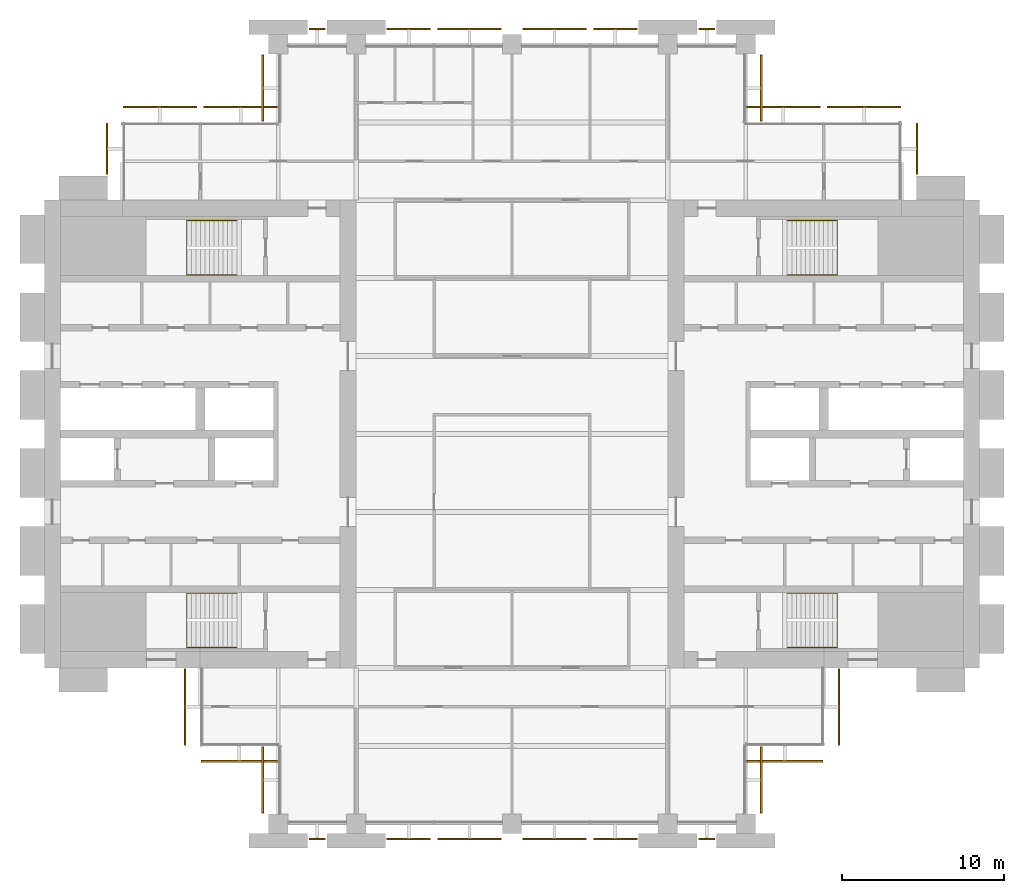
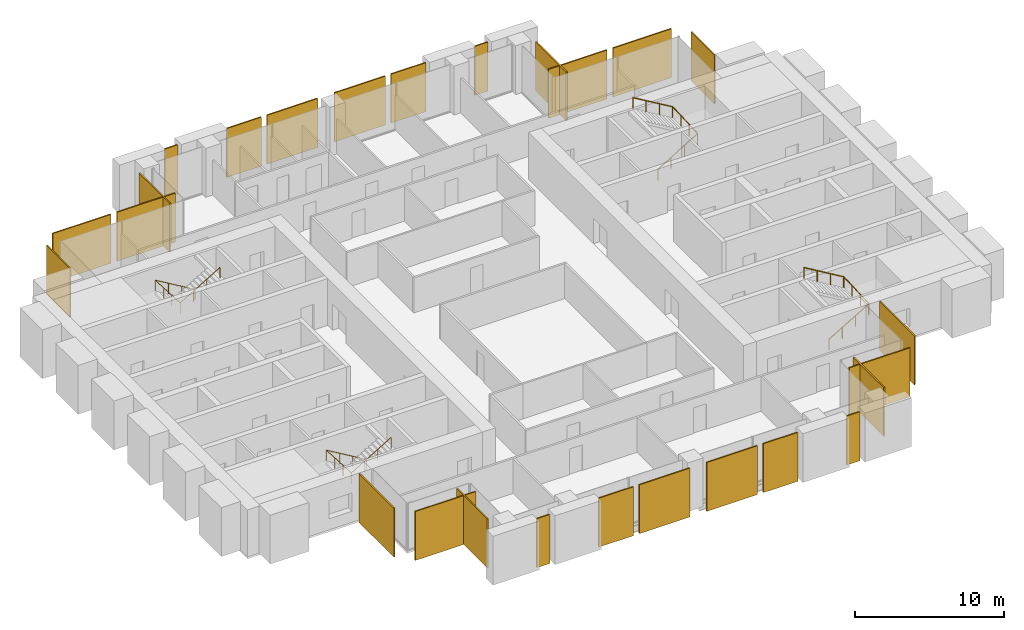
# One storey, part 14 of 14: 26 coverings, 4 railings.
"""IFC4 building model written with IfcOpenShell, lengths in metres."""

from ifc_helpers import new_model, si_unit, direction, frame, origin, origin_2d, place, context, subcontext, project, spatial, polyline, circle, outline, extrude, material, layer, layer_set, type_object, element, save


model = new_model("IFC4")

# Units and contexts
model_context = context("Model", 3, precision=1e-05, world=origin(), true_north=direction((0.0, 1.0)))
body_context = subcontext(model_context, "Body", "Model", "MODEL_VIEW")
ifc_project = project(units=[si_unit("LENGTHUNIT", "METRE"), si_unit("AREAUNIT", "SQUARE_METRE"), si_unit("VOLUMEUNIT", "CUBIC_METRE"), si_unit("PLANEANGLEUNIT", "RADIAN"), si_unit("MASSUNIT", "GRAM", prefix="KILO")], contexts=[model_context])

# Site, building, storey
site_placement = place(None, origin())
site = spatial("IfcSite", under=ifc_project, at=site_placement, CompositionType="ELEMENT")
building_placement = place(site_placement, origin())
building = spatial("IfcBuilding", under=site, at=building_placement, Name="Baori Bourse Tower", CompositionType="ELEMENT")
storey_placement = place(building_placement, frame((0.0, 0.0, 136.10009765625)))
storey = spatial("IfcBuildingStorey", under=building, at=storey_placement, Name="L29", CompositionType="ELEMENT", Elevation=136.10009765625)

# Railings
ifc_material_1 = material(Name="Powder-coated steel balustrade", Category="steel")
railing_type = type_object("IfcRailingType", Name="Core stair handrail", PredefinedType="HANDRAIL", material=ifc_material_1)
railing_1_placement = place(storey_placement, frame((11.85009765625, 14.199951171875, 0.16650390625)))
element("IfcRailing", 1, at=railing_1_placement, inside=storey, type_object=railing_type, Name="L29 ST1 stair handrail 1", PredefinedType="HANDRAIL", context=body_context, shape_type="SweptSolid", body=[
    extrude(circle(Radius=0.02392578125, at=origin_2d()), frame((0.0, 0.0, 0.8759765625), z_axis=(-0.85927862911, 0.0, 0.511507807912), x_axis=(0.0, -1.0, 0.0)), (0.0, 0.0, 1.0), 3.58447265625),
    extrude(circle(Radius=0.02392578125, at=origin_2d()), frame((-3.080078125, 0.0, 2.70947265625), z_axis=(0.0, -0.998766999029, 0.049643545903), x_axis=(1.0, 0.0, 0.0)), (0.0, 0.0, 1.0), 3.35400390625),
    extrude(circle(Radius=0.02392578125, at=origin_2d()), frame((-3.080078125, -3.349853515625, 2.8759765625), z_axis=(0.85927862911, 0.0, 0.511507807912), x_axis=(0.0, 1.0, 0.0)), (0.0, 0.0, 1.0), 3.58447265625),
    extrude(circle(Radius=0.02099609375, at=origin_2d()), origin(), (0.0, 0.0, 1.0), 0.851806640625),
    extrude(circle(Radius=0.02099609375, at=origin_2d()), frame((-1.026611328125, 0.0, 0.611083984375)), (0.0, 0.0, 1.0), 0.851806640625),
    extrude(circle(Radius=0.02099609375, at=origin_2d()), frame((-2.053466796875, 0.0, 1.222412109375)), (0.0, 0.0, 1.0), 0.851806640625),
    extrude(circle(Radius=0.02099609375, at=origin_2d()), frame((-3.080078125, 0.0, 1.83349609375)), (0.0, 0.0, 1.0), 0.851806640625),
    extrude(circle(Radius=0.02099609375, at=origin_2d()), frame((-3.080078125, -1.11669921875, 1.888916015625)), (0.0, 0.0, 1.0), 0.851806640625),
    extrude(circle(Radius=0.02099609375, at=origin_2d()), frame((-3.080078125, -2.233154296875, 1.944580078125)), (0.0, 0.0, 1.0), 0.851806640625),
    extrude(circle(Radius=0.02099609375, at=origin_2d()), frame((-3.080078125, -3.349853515625, 2.0)), (0.0, 0.0, 1.0), 0.851806640625),
    extrude(circle(Radius=0.02099609375, at=origin_2d()), frame((-2.053466796875, -3.349853515625, 2.611083984375)), (0.0, 0.0, 1.0), 0.851806640625),
    extrude(circle(Radius=0.02099609375, at=origin_2d()), frame((-1.026611328125, -3.349853515625, 3.222412109375)), (0.0, 0.0, 1.0), 0.851806640625),
    extrude(circle(Radius=0.02099609375, at=origin_2d()), frame((0.0, -3.349853515625, 3.83349609375)), (0.0, 0.0, 1.0), 0.851806640625),
])
railing_2_placement = place(storey_placement, frame((11.85009765625, 37.14990234375, 0.16650390625)))
element("IfcRailing", 2, at=railing_2_placement, inside=storey, type_object=railing_type, Name="L29 ST2 stair handrail 1", PredefinedType="HANDRAIL", context=body_context, shape_type="SweptSolid", body=[
    extrude(circle(Radius=0.02392578125, at=origin_2d()), frame((0.0, 0.0, 0.8759765625), z_axis=(-0.85927862911, 0.0, 0.511507807912), x_axis=(0.0, -1.0, 0.0)), (0.0, 0.0, 1.0), 3.58447265625),
    extrude(circle(Radius=0.02392578125, at=origin_2d()), frame((-3.080078125, 0.0, 2.70947265625), z_axis=(0.0, -0.998766999029, 0.049643545903), x_axis=(1.0, 0.0, 0.0)), (0.0, 0.0, 1.0), 3.35400390625),
    extrude(circle(Radius=0.02392578125, at=origin_2d()), frame((-3.080078125, -3.349853515625, 2.8759765625), z_axis=(0.85927862911, 0.0, 0.511507807912), x_axis=(0.0, 1.0, 0.0)), (0.0, 0.0, 1.0), 3.58447265625),
    extrude(circle(Radius=0.02099609375, at=origin_2d()), origin(), (0.0, 0.0, 1.0), 0.851806640625),
    extrude(circle(Radius=0.02099609375, at=origin_2d()), frame((-1.026611328125, 0.0, 0.611083984375)), (0.0, 0.0, 1.0), 0.851806640625),
    extrude(circle(Radius=0.02099609375, at=origin_2d()), frame((-2.053466796875, 0.0, 1.222412109375)), (0.0, 0.0, 1.0), 0.851806640625),
    extrude(circle(Radius=0.02099609375, at=origin_2d()), frame((-3.080078125, 0.0, 1.83349609375)), (0.0, 0.0, 1.0), 0.851806640625),
    extrude(circle(Radius=0.02099609375, at=origin_2d()), frame((-3.080078125, -1.11669921875, 1.888916015625)), (0.0, 0.0, 1.0), 0.851806640625),
    extrude(circle(Radius=0.02099609375, at=origin_2d()), frame((-3.080078125, -2.233154296875, 1.944580078125)), (0.0, 0.0, 1.0), 0.851806640625),
    extrude(circle(Radius=0.02099609375, at=origin_2d()), frame((-3.080078125, -3.349853515625, 2.0)), (0.0, 0.0, 1.0), 0.851806640625),
    extrude(circle(Radius=0.02099609375, at=origin_2d()), frame((-2.053466796875, -3.349853515625, 2.611083984375)), (0.0, 0.0, 1.0), 0.851806640625),
    extrude(circle(Radius=0.02099609375, at=origin_2d()), frame((-1.026611328125, -3.349853515625, 3.222412109375)), (0.0, 0.0, 1.0), 0.851806640625),
    extrude(circle(Radius=0.02099609375, at=origin_2d()), frame((0.0, -3.349853515625, 3.83349609375)), (0.0, 0.0, 1.0), 0.851806640625),
])
railing_3_placement = place(storey_placement, frame((45.75, 10.85009765625, 0.16650390625)))
element("IfcRailing", 3, at=railing_3_placement, inside=storey, type_object=railing_type, Name="L29 ST3 stair handrail 1", PredefinedType="HANDRAIL", context=body_context, shape_type="SweptSolid", body=[
    extrude(circle(Radius=0.02392578125, at=origin_2d()), frame((0.0, 0.0, 0.8759765625), z_axis=(0.85927862911, 0.0, 0.511507807912), x_axis=(0.0, 1.0, 0.0)), (0.0, 0.0, 1.0), 3.58447265625),
    extrude(circle(Radius=0.02392578125, at=origin_2d()), frame((3.080078125, 0.0, 2.70947265625), z_axis=(0.0, 0.998766999029, 0.049643545903), x_axis=(-1.0, 0.0, 0.0)), (0.0, 0.0, 1.0), 3.35400390625),
    extrude(circle(Radius=0.02392578125, at=origin_2d()), frame((3.080078125, 3.349853515625, 2.8759765625), z_axis=(-0.85927862911, 0.0, 0.511507807912), x_axis=(0.0, -1.0, 0.0)), (0.0, 0.0, 1.0), 3.58447265625),
    extrude(circle(Radius=0.02099609375, at=origin_2d()), origin(), (0.0, 0.0, 1.0), 0.851806640625),
    extrude(circle(Radius=0.02099609375, at=origin_2d()), frame((1.026611328125, 0.0, 0.611083984375)), (0.0, 0.0, 1.0), 0.851806640625),
    extrude(circle(Radius=0.02099609375, at=origin_2d()), frame((2.053466796875, 0.0, 1.222412109375)), (0.0, 0.0, 1.0), 0.851806640625),
    extrude(circle(Radius=0.02099609375, at=origin_2d()), frame((3.080078125, 0.0, 1.83349609375)), (0.0, 0.0, 1.0), 0.851806640625),
    extrude(circle(Radius=0.02099609375, at=origin_2d()), frame((3.080078125, 1.11669921875, 1.888916015625)), (0.0, 0.0, 1.0), 0.851806640625),
    extrude(circle(Radius=0.02099609375, at=origin_2d()), frame((3.080078125, 2.233154296875, 1.944580078125)), (0.0, 0.0, 1.0), 0.851806640625),
    extrude(circle(Radius=0.02099609375, at=origin_2d()), frame((3.080078125, 3.349853515625, 2.0)), (0.0, 0.0, 1.0), 0.851806640625),
    extrude(circle(Radius=0.02099609375, at=origin_2d()), frame((2.053466796875, 3.349853515625, 2.611083984375)), (0.0, 0.0, 1.0), 0.851806640625),
    extrude(circle(Radius=0.02099609375, at=origin_2d()), frame((1.026611328125, 3.349853515625, 3.222412109375)), (0.0, 0.0, 1.0), 0.851806640625),
    extrude(circle(Radius=0.02099609375, at=origin_2d()), frame((0.0, 3.349853515625, 3.83349609375)), (0.0, 0.0, 1.0), 0.851806640625),
])
railing_4_placement = place(storey_placement, frame((45.75, 33.800048828125, 0.16650390625)))
element("IfcRailing", 4, at=railing_4_placement, inside=storey, type_object=railing_type, Name="L29 ST4 stair handrail 1", PredefinedType="HANDRAIL", context=body_context, shape_type="SweptSolid", body=[
    extrude(circle(Radius=0.02392578125, at=origin_2d()), frame((0.0, 0.0, 0.8759765625), z_axis=(0.85927862911, 0.0, 0.511507807912), x_axis=(0.0, 1.0, 0.0)), (0.0, 0.0, 1.0), 3.58447265625),
    extrude(circle(Radius=0.02392578125, at=origin_2d()), frame((3.080078125, 0.0, 2.70947265625), z_axis=(0.0, 0.998766999029, 0.049643545903), x_axis=(-1.0, 0.0, 0.0)), (0.0, 0.0, 1.0), 3.35400390625),
    extrude(circle(Radius=0.02392578125, at=origin_2d()), frame((3.080078125, 3.349853515625, 2.8759765625), z_axis=(-0.85927862911, 0.0, 0.511507807912), x_axis=(0.0, -1.0, 0.0)), (0.0, 0.0, 1.0), 3.58447265625),
    extrude(circle(Radius=0.02099609375, at=origin_2d()), origin(), (0.0, 0.0, 1.0), 0.851806640625),
    extrude(circle(Radius=0.02099609375, at=origin_2d()), frame((1.026611328125, 0.0, 0.611083984375)), (0.0, 0.0, 1.0), 0.851806640625),
    extrude(circle(Radius=0.02099609375, at=origin_2d()), frame((2.053466796875, 0.0, 1.222412109375)), (0.0, 0.0, 1.0), 0.851806640625),
    extrude(circle(Radius=0.02099609375, at=origin_2d()), frame((3.080078125, 0.0, 1.83349609375)), (0.0, 0.0, 1.0), 0.851806640625),
    extrude(circle(Radius=0.02099609375, at=origin_2d()), frame((3.080078125, 1.11669921875, 1.888916015625)), (0.0, 0.0, 1.0), 0.851806640625),
    extrude(circle(Radius=0.02099609375, at=origin_2d()), frame((3.080078125, 2.233154296875, 1.944580078125)), (0.0, 0.0, 1.0), 0.851806640625),
    extrude(circle(Radius=0.02099609375, at=origin_2d()), frame((3.080078125, 3.349853515625, 2.0)), (0.0, 0.0, 1.0), 0.851806640625),
    extrude(circle(Radius=0.02099609375, at=origin_2d()), frame((2.053466796875, 3.349853515625, 2.611083984375)), (0.0, 0.0, 1.0), 0.851806640625),
    extrude(circle(Radius=0.02099609375, at=origin_2d()), frame((1.026611328125, 3.349853515625, 3.222412109375)), (0.0, 0.0, 1.0), 0.851806640625),
    extrude(circle(Radius=0.02099609375, at=origin_2d()), frame((0.0, 3.349853515625, 3.83349609375)), (0.0, 0.0, 1.0), 0.851806640625),
])

# Coverings
ifc_material_2 = material(Name="Pale anodised aluminium", Category="aluminium")
ifc_layer = layer(ifc_material_2, 0.10009765625)
ifc_layer_set = layer_set([ifc_layer], Name="OS3 Outer skin screen panel")
covering_type = type_object("IfcCoveringType", Name="OS3 Outer skin screen panel", PredefinedType="CLADDING", material=ifc_layer_set)
covering_1_placement = place(storey_placement, frame((0.0, 0.0, -0.16015625)))
element("IfcCovering", 5, at=covering_1_placement, inside=storey, type_object=covering_type, Name="Outer skin screen L29 1", PredefinedType="CLADDING", context=body_context, shape_type="SweptSolid", body=[
    extrude(outline(polyline([(53.699951171875, 43.14990234375), (53.699951171875, 40.0), (53.800048828125, 40.0), (53.800048828125, 43.14990234375), (53.699951171875, 43.14990234375)])), origin(), (0.0, 0.0, 1.0), 4.0),
])
covering_2_placement = place(storey_placement, frame((0.0, 0.0, -0.16015625)))
element("IfcCovering", 6, at=covering_2_placement, inside=storey, type_object=covering_type, Name="Outer skin screen L29 2", PredefinedType="CLADDING", context=body_context, shape_type="SweptSolid", body=[
    extrude(outline(polyline([(48.22509765625, 44.10009765625), (52.75, 44.10009765625), (52.75, 44.199951171875), (48.22509765625, 44.199951171875), (48.22509765625, 44.10009765625)])), origin(), (0.0, 0.0, 1.0), 4.0),
])
covering_3_placement = place(storey_placement, frame((0.0, 0.0, -0.16015625)))
element("IfcCovering", 7, at=covering_3_placement, inside=storey, type_object=covering_type, Name="Outer skin screen L29 3", PredefinedType="CLADDING", context=body_context, shape_type="SweptSolid", body=[
    extrude(outline(polyline([(43.25, 44.10009765625), (47.77490234375, 44.10009765625), (47.77490234375, 44.199951171875), (43.25, 44.199951171875), (43.25, 44.10009765625)])), origin(), (0.0, 0.0, 1.0), 4.0),
])
covering_4_placement = place(storey_placement, frame((0.0, 0.0, -0.16015625)))
element("IfcCovering", 8, at=covering_4_placement, inside=storey, type_object=covering_type, Name="Outer skin screen L29 4", PredefinedType="CLADDING", context=body_context, shape_type="SweptSolid", body=[
    extrude(outline(polyline([(44.10009765625, 47.35009765625), (44.10009765625, 43.25), (44.199951171875, 43.25), (44.199951171875, 47.35009765625), (44.10009765625, 47.35009765625)])), origin(), (0.0, 0.0, 1.0), 4.0),
])
covering_5_placement = place(storey_placement, frame((0.0, 0.0, -0.16015625)))
element("IfcCovering", 9, at=covering_5_placement, inside=storey, type_object=covering_type, Name="Outer skin screen L29 5", PredefinedType="CLADDING", context=body_context, shape_type="SweptSolid", body=[
    extrude(outline(polyline([(40.300048828125, 48.89990234375), (41.300048828125, 48.89990234375), (41.300048828125, 49.0), (40.300048828125, 49.0), (40.300048828125, 48.89990234375)])), origin(), (0.0, 0.0, 1.0), 4.0),
])
covering_6_placement = place(storey_placement, frame((0.0, 0.0, -0.16015625)))
element("IfcCovering", 10, at=covering_6_placement, inside=storey, type_object=covering_type, Name="Outer skin screen L29 6", PredefinedType="CLADDING", context=body_context, shape_type="SweptSolid", body=[
    extrude(outline(polyline([(33.824951171875, 48.89990234375), (36.5, 48.89990234375), (36.5, 49.0), (33.824951171875, 49.0), (33.824951171875, 48.89990234375)])), origin(), (0.0, 0.0, 1.0), 4.0),
])
covering_7_placement = place(storey_placement, frame((0.0, 0.0, -0.16015625)))
element("IfcCovering", 11, at=covering_7_placement, inside=storey, type_object=covering_type, Name="Outer skin screen L29 7", PredefinedType="CLADDING", context=body_context, shape_type="SweptSolid", body=[
    extrude(outline(polyline([(29.449951171875, 48.89990234375), (33.375, 48.89990234375), (33.375, 49.0), (29.449951171875, 49.0), (29.449951171875, 48.89990234375)])), origin(), (0.0, 0.0, 1.0), 4.0),
])
covering_8_placement = place(storey_placement, frame((0.0, 0.0, -0.16015625)))
element("IfcCovering", 12, at=covering_8_placement, inside=storey, type_object=covering_type, Name="Outer skin screen L29 8", PredefinedType="CLADDING", context=body_context, shape_type="SweptSolid", body=[
    extrude(outline(polyline([(24.22509765625, 48.89990234375), (28.14990234375, 48.89990234375), (28.14990234375, 49.0), (24.22509765625, 49.0), (24.22509765625, 48.89990234375)])), origin(), (0.0, 0.0, 1.0), 4.0),
])
covering_9_placement = place(storey_placement, frame((0.0, 0.0, -0.16015625)))
element("IfcCovering", 13, at=covering_9_placement, inside=storey, type_object=covering_type, Name="Outer skin screen L29 9", PredefinedType="CLADDING", context=body_context, shape_type="SweptSolid", body=[
    extrude(outline(polyline([(21.10009765625, 48.89990234375), (23.77490234375, 48.89990234375), (23.77490234375, 49.0), (21.10009765625, 49.0), (21.10009765625, 48.89990234375)])), origin(), (0.0, 0.0, 1.0), 4.0),
])
covering_10_placement = place(storey_placement, frame((0.0, 0.0, -0.16015625)))
element("IfcCovering", 14, at=covering_10_placement, inside=storey, type_object=covering_type, Name="Outer skin screen L29 10", PredefinedType="CLADDING", context=body_context, shape_type="SweptSolid", body=[
    extrude(outline(polyline([(16.300048828125, 48.89990234375), (17.300048828125, 48.89990234375), (17.300048828125, 49.0), (16.300048828125, 49.0), (16.300048828125, 48.89990234375)])), origin(), (0.0, 0.0, 1.0), 4.0),
])
covering_11_placement = place(storey_placement, frame((0.0, 0.0, -0.16015625)))
element("IfcCovering", 15, at=covering_11_placement, inside=storey, type_object=covering_type, Name="Outer skin screen L29 11", PredefinedType="CLADDING", context=body_context, shape_type="SweptSolid", body=[
    extrude(outline(polyline([(13.5, 43.25), (13.5, 47.35009765625), (13.39990234375, 47.35009765625), (13.39990234375, 43.25), (13.5, 43.25)])), origin(), (0.0, 0.0, 1.0), 4.0),
])
covering_12_placement = place(storey_placement, frame((0.0, 0.0, -0.16015625)))
element("IfcCovering", 16, at=covering_12_placement, inside=storey, type_object=covering_type, Name="Outer skin screen L29 12", PredefinedType="CLADDING", context=body_context, shape_type="SweptSolid", body=[
    extrude(outline(polyline([(9.824951171875, 44.10009765625), (14.35009765625, 44.10009765625), (14.35009765625, 44.199951171875), (9.824951171875, 44.199951171875), (9.824951171875, 44.10009765625)])), origin(), (0.0, 0.0, 1.0), 4.0),
])
covering_13_placement = place(storey_placement, frame((0.0, 0.0, -0.16015625)))
element("IfcCovering", 17, at=covering_13_placement, inside=storey, type_object=covering_type, Name="Outer skin screen L29 13", PredefinedType="CLADDING", context=body_context, shape_type="SweptSolid", body=[
    extrude(outline(polyline([(4.85009765625, 44.10009765625), (9.375, 44.10009765625), (9.375, 44.199951171875), (4.85009765625, 44.199951171875), (4.85009765625, 44.10009765625)])), origin(), (0.0, 0.0, 1.0), 4.0),
])
covering_14_placement = place(storey_placement, frame((0.0, 0.0, -0.16015625)))
element("IfcCovering", 18, at=covering_14_placement, inside=storey, type_object=covering_type, Name="Outer skin screen L29 14", PredefinedType="CLADDING", context=body_context, shape_type="SweptSolid", body=[
    extrude(outline(polyline([(3.89990234375, 40.0), (3.89990234375, 43.14990234375), (3.800048828125, 43.14990234375), (3.800048828125, 40.0), (3.89990234375, 40.0), (3.89990234375, 40.0)])), origin(), (0.0, 0.0, 1.0), 4.0),
])
covering_15_placement = place(storey_placement, frame((0.0, 0.0, -0.16015625)))
element("IfcCovering", 19, at=covering_15_placement, inside=storey, type_object=covering_type, Name="Outer skin screen L29 15", PredefinedType="CLADDING", context=body_context, shape_type="SweptSolid", body=[
    extrude(outline(polyline([(8.699951171875, 4.85009765625), (8.699951171875, 9.550048828125), (8.60009765625, 9.550048828125), (8.60009765625, 4.85009765625), (8.699951171875, 4.85009765625)])), origin(), (0.0, 0.0, 1.0), 4.0),
])
covering_16_placement = place(storey_placement, frame((0.0, 0.0, -0.16015625)))
element("IfcCovering", 20, at=covering_16_placement, inside=storey, type_object=covering_type, Name="Outer skin screen L29 16", PredefinedType="CLADDING", context=body_context, shape_type="SweptSolid", body=[
    extrude(outline(polyline([(14.35009765625, 3.89990234375), (9.64990234375, 3.89990234375), (9.64990234375, 3.800048828125), (14.35009765625, 3.800048828125), (14.35009765625, 3.89990234375)])), origin(), (0.0, 0.0, 1.0), 4.0),
])
covering_17_placement = place(storey_placement, frame((0.0, 0.0, -0.16015625)))
element("IfcCovering", 21, at=covering_17_placement, inside=storey, type_object=covering_type, Name="Outer skin screen L29 17", PredefinedType="CLADDING", context=body_context, shape_type="SweptSolid", body=[
    extrude(outline(polyline([(13.5, 0.64990234375), (13.5, 4.75), (13.39990234375, 4.75), (13.39990234375, 0.64990234375), (13.5, 0.64990234375)])), origin(), (0.0, 0.0, 1.0), 4.0),
])
covering_18_placement = place(storey_placement, frame((0.0, 0.0, -0.16015625)))
element("IfcCovering", 22, at=covering_18_placement, inside=storey, type_object=covering_type, Name="Outer skin screen L29 18", PredefinedType="CLADDING", context=body_context, shape_type="SweptSolid", body=[
    extrude(outline(polyline([(17.300048828125, -0.89990234375), (16.300048828125, -0.89990234375), (16.300048828125, -1.0), (17.300048828125, -1.0), (17.300048828125, -0.89990234375)])), origin(), (0.0, 0.0, 1.0), 4.0),
])
covering_19_placement = place(storey_placement, frame((0.0, 0.0, -0.16015625)))
element("IfcCovering", 23, at=covering_19_placement, inside=storey, type_object=covering_type, Name="Outer skin screen L29 19", PredefinedType="CLADDING", context=body_context, shape_type="SweptSolid", body=[
    extrude(outline(polyline([(23.77490234375, -0.89990234375), (21.10009765625, -0.89990234375), (21.10009765625, -1.0), (23.77490234375, -1.0), (23.77490234375, -0.89990234375)])), origin(), (0.0, 0.0, 1.0), 4.0),
])
covering_20_placement = place(storey_placement, frame((0.0, 0.0, -0.16015625)))
element("IfcCovering", 24, at=covering_20_placement, inside=storey, type_object=covering_type, Name="Outer skin screen L29 20", PredefinedType="CLADDING", context=body_context, shape_type="SweptSolid", body=[
    extrude(outline(polyline([(28.14990234375, -0.89990234375), (24.22509765625, -0.89990234375), (24.22509765625, -1.0), (28.14990234375, -1.0), (28.14990234375, -0.89990234375)])), origin(), (0.0, 0.0, 1.0), 4.0),
])
covering_21_placement = place(storey_placement, frame((0.0, 0.0, -0.16015625)))
element("IfcCovering", 25, at=covering_21_placement, inside=storey, type_object=covering_type, Name="Outer skin screen L29 21", PredefinedType="CLADDING", context=body_context, shape_type="SweptSolid", body=[
    extrude(outline(polyline([(33.375, -0.89990234375), (29.449951171875, -0.89990234375), (29.449951171875, -1.0), (33.375, -1.0), (33.375, -0.89990234375)])), origin(), (0.0, 0.0, 1.0), 4.0),
])
covering_22_placement = place(storey_placement, frame((0.0, 0.0, -0.16015625)))
element("IfcCovering", 26, at=covering_22_placement, inside=storey, type_object=covering_type, Name="Outer skin screen L29 22", PredefinedType="CLADDING", context=body_context, shape_type="SweptSolid", body=[
    extrude(outline(polyline([(36.5, -0.89990234375), (33.824951171875, -0.89990234375), (33.824951171875, -1.0), (36.5, -1.0), (36.5, -0.89990234375)])), origin(), (0.0, 0.0, 1.0), 4.0),
])
covering_23_placement = place(storey_placement, frame((0.0, 0.0, -0.16015625)))
element("IfcCovering", 27, at=covering_23_placement, inside=storey, type_object=covering_type, Name="Outer skin screen L29 23", PredefinedType="CLADDING", context=body_context, shape_type="SweptSolid", body=[
    extrude(outline(polyline([(41.300048828125, -0.89990234375), (40.300048828125, -0.89990234375), (40.300048828125, -1.0), (41.300048828125, -1.0), (41.300048828125, -0.89990234375)])), origin(), (0.0, 0.0, 1.0), 4.0),
])
covering_24_placement = place(storey_placement, frame((0.0, 0.0, -0.16015625)))
element("IfcCovering", 28, at=covering_24_placement, inside=storey, type_object=covering_type, Name="Outer skin screen L29 24", PredefinedType="CLADDING", context=body_context, shape_type="SweptSolid", body=[
    extrude(outline(polyline([(44.10009765625, 4.75), (44.10009765625, 0.64990234375), (44.199951171875, 0.64990234375), (44.199951171875, 4.75), (44.10009765625, 4.75)])), origin(), (0.0, 0.0, 1.0), 4.0),
])
covering_25_placement = place(storey_placement, frame((0.0, 0.0, -0.16015625)))
element("IfcCovering", 29, at=covering_25_placement, inside=storey, type_object=covering_type, Name="Outer skin screen L29 25", PredefinedType="CLADDING", context=body_context, shape_type="SweptSolid", body=[
    extrude(outline(polyline([(47.949951171875, 3.89990234375), (43.25, 3.89990234375), (43.25, 3.800048828125), (47.949951171875, 3.800048828125), (47.949951171875, 3.89990234375)])), origin(), (0.0, 0.0, 1.0), 4.0),
])
covering_26_placement = place(storey_placement, frame((0.0, 0.0, -0.16015625)))
element("IfcCovering", 30, at=covering_26_placement, inside=storey, type_object=covering_type, Name="Outer skin screen L29 26", PredefinedType="CLADDING", context=body_context, shape_type="SweptSolid", body=[
    extrude(outline(polyline([(48.89990234375, 9.550048828125), (48.89990234375, 4.85009765625), (49.0, 4.85009765625), (49.0, 9.550048828125), (48.89990234375, 9.550048828125)])), origin(), (0.0, 0.0, 1.0), 4.0),
])

save(model, "model.ifc")
